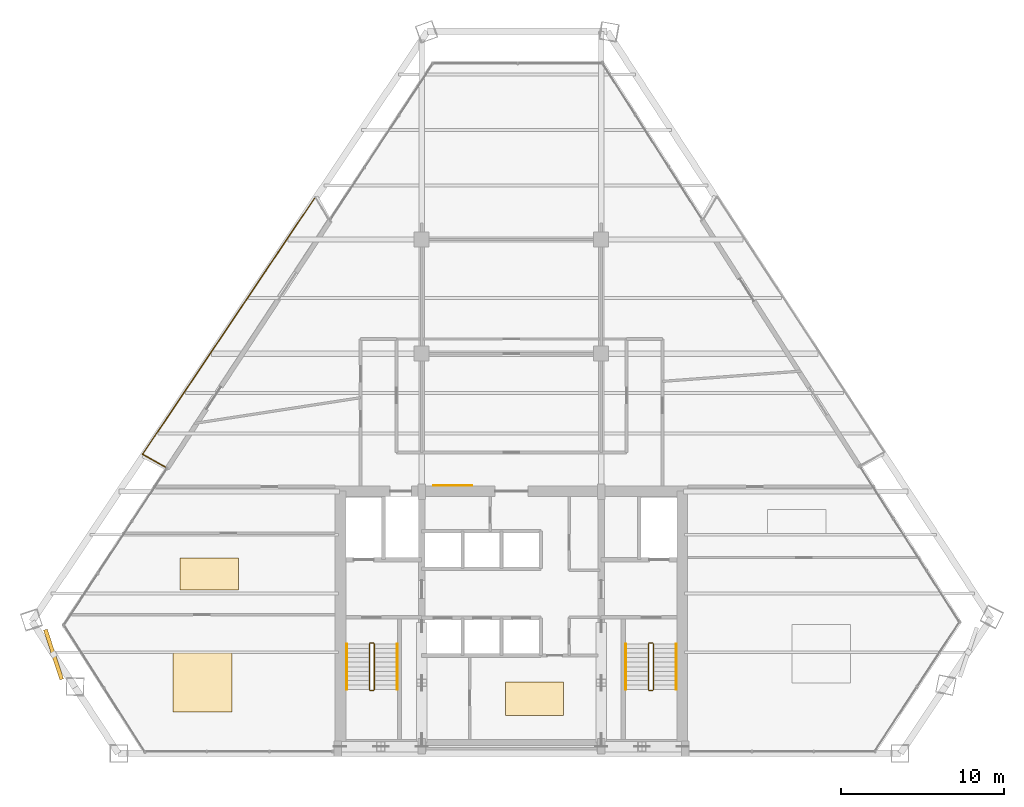
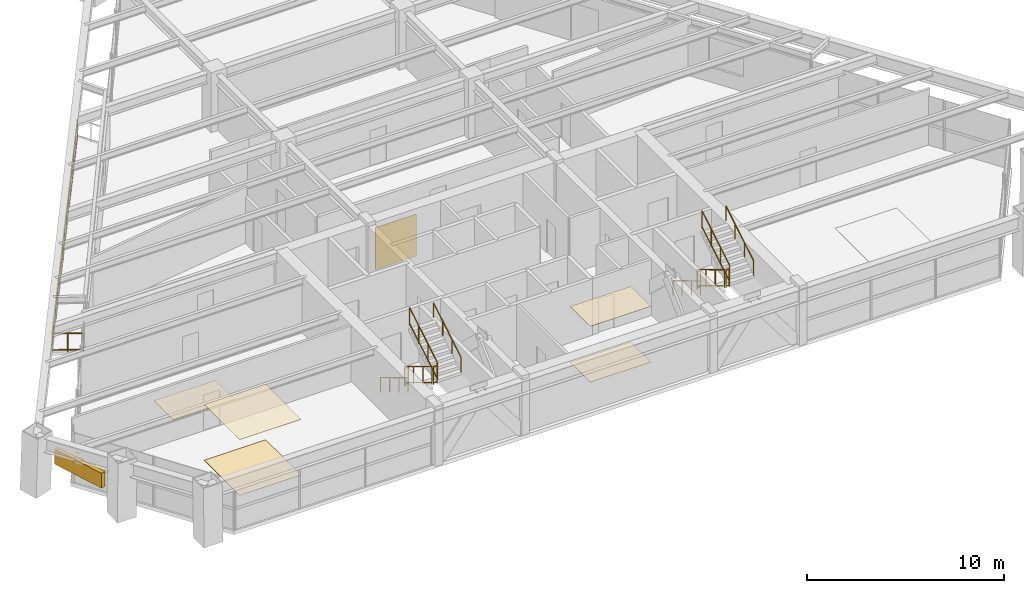
# One storey, part 13 of 14: 14 railings, 6 coverings, 1 shading device.
"""IFC4 building model written with IfcOpenShell, lengths in metres."""

from ifc_helpers import new_model, si_unit, direction, frame, origin, origin_2d, place, context, subcontext, project, spatial, rectangle, extrude, source, transform, mapped, material, layer, layer_set, type_object, type_shapes, element, save


model = new_model("IFC4")

# Units and contexts
model_context = context("Model", 3, precision=1e-05, world=origin(), true_north=direction((0.0, 1.0)))
body_context = subcontext(model_context, "Body", "Model", "MODEL_VIEW")
ifc_project = project(units=[si_unit("LENGTHUNIT", "METRE"), si_unit("AREAUNIT", "SQUARE_METRE"), si_unit("VOLUMEUNIT", "CUBIC_METRE"), si_unit("PLANEANGLEUNIT", "RADIAN"), si_unit("MASSUNIT", "GRAM", prefix="KILO")], contexts=[model_context])

# Site, building, storey
site_placement = place(None, origin())
site = spatial("IfcSite", under=ifc_project, at=site_placement, CompositionType="ELEMENT")
building_placement = place(site_placement, origin())
building = spatial("IfcBuilding", under=site, at=building_placement, Name="Varnakhor Terracotta Tower", CompositionType="ELEMENT")
storey_placement = place(building_placement, frame((0.0, 0.0, 129.300048828125)))
storey = spatial("IfcBuildingStorey", under=building, at=storey_placement, Name="L32", CompositionType="ELEMENT", Elevation=129.300048828125)

# Railings
ifc_material_1 = material(Name="Stainless Steel & Laminated Glass Guardrail", Category="steel")
railing_type_1 = type_object("IfcRailingType", Name="RLG-LOGGIA-GUARD-1150", PredefinedType="GUARDRAIL", material=ifc_material_1)
railing_1_placement = place(storey_placement, frame((-21.20849609375, 17.541259765625, 0.0)))
element("IfcRailing", 1, at=railing_1_placement, inside=storey, type_object=railing_type_1, Name="L32 W Loggia Glass Guard 1", PredefinedType="GUARDRAIL", context=body_context, shape_type="SweptSolid", body=[
    extrude(rectangle(XDim=0.048095703125, YDim=0.048095703125, at=origin_2d()), frame((0.0, 0.0, 1.1259765625), z_axis=(-0.869789822921, 0.493422399109, 0.0), x_axis=(-0.493422399109, -0.869789822921, 0.0)), (0.0, 0.0, 1.0), 1.608154296875),
    extrude(rectangle(XDim=0.048095703125, YDim=0.048095703125, at=origin_2d()), frame((0.0, 0.0, 0.10009765625), z_axis=(-0.869789822921, 0.493422399109, 0.0), x_axis=(-0.493422399109, -0.869789822921, 0.0)), (0.0, 0.0, 1.0), 1.608154296875),
    extrude(rectangle(XDim=0.0419921875, YDim=0.0419921875, at=origin_2d()), origin(), (0.0, 0.0, 1.0), 1.101806640625),
    extrude(rectangle(XDim=0.0419921875, YDim=0.0419921875, at=origin_2d()), frame((-0.69921875, 0.396728515625, 0.0)), (0.0, 0.0, 1.0), 1.101806640625),
    extrude(rectangle(XDim=0.0419921875, YDim=0.0419921875, at=origin_2d()), frame((-1.398681640625, 0.79345703125, 0.0)), (0.0, 0.0, 1.0), 1.101806640625),
])
railing_2_placement = place(storey_placement, frame((-22.607177734375, 18.334716796875, 0.0)))
element("IfcRailing", 2, at=railing_2_placement, inside=storey, type_object=railing_type_1, Name="L32 W Loggia Glass Guard 2", PredefinedType="GUARDRAIL", context=body_context, shape_type="SweptSolid", body=[
    extrude(rectangle(XDim=0.048095703125, YDim=0.048095703125, at=origin_2d()), frame((0.0, 0.0, 1.1259765625), z_axis=(0.557802039313, 0.829974026665, 0.0), x_axis=(-0.829974026665, 0.557802039313, 0.0)), (0.0, 0.0, 1.0), 18.975341796875),
    extrude(rectangle(XDim=0.048095703125, YDim=0.048095703125, at=origin_2d()), frame((0.0, 0.0, 0.10009765625), z_axis=(0.557802039313, 0.829974026665, 0.0), x_axis=(-0.829974026665, 0.557802039313, 0.0)), (0.0, 0.0, 1.0), 18.975341796875),
    extrude(rectangle(XDim=0.0419921875, YDim=0.0419921875, at=origin_2d()), origin(), (0.0, 0.0, 1.0), 1.101806640625),
    extrude(rectangle(XDim=0.0419921875, YDim=0.0419921875, at=origin_2d()), frame((0.756103515625, 1.125, 0.0)), (0.0, 0.0, 1.0), 1.101806640625),
    extrude(rectangle(XDim=0.0419921875, YDim=0.0419921875, at=origin_2d()), frame((1.511962890625, 2.249755859375, 0.0)), (0.0, 0.0, 1.0), 1.101806640625),
    extrude(rectangle(XDim=0.0419921875, YDim=0.0419921875, at=origin_2d()), frame((2.26806640625, 3.374755859375, 0.0)), (0.0, 0.0, 1.0), 1.101806640625),
    extrude(rectangle(XDim=0.0419921875, YDim=0.0419921875, at=origin_2d()), frame((3.024169921875, 4.499755859375, 0.0)), (0.0, 0.0, 1.0), 1.101806640625),
    extrude(rectangle(XDim=0.0419921875, YDim=0.0419921875, at=origin_2d()), frame((3.7802734375, 5.624755859375, 0.0)), (0.0, 0.0, 1.0), 1.101806640625),
    extrude(rectangle(XDim=0.0419921875, YDim=0.0419921875, at=origin_2d()), frame((4.5361328125, 6.74951171875, 0.0)), (0.0, 0.0, 1.0), 1.101806640625),
    extrude(rectangle(XDim=0.0419921875, YDim=0.0419921875, at=origin_2d()), frame((5.292236328125, 7.87451171875, 0.0)), (0.0, 0.0, 1.0), 1.101806640625),
    extrude(rectangle(XDim=0.0419921875, YDim=0.0419921875, at=origin_2d()), frame((6.04833984375, 8.99951171875, 0.0)), (0.0, 0.0, 1.0), 1.101806640625),
    extrude(rectangle(XDim=0.0419921875, YDim=0.0419921875, at=origin_2d()), frame((6.80419921875, 10.124267578125, 0.0)), (0.0, 0.0, 1.0), 1.101806640625),
    extrude(rectangle(XDim=0.0419921875, YDim=0.0419921875, at=origin_2d()), frame((7.560302734375, 11.249267578125, 0.0)), (0.0, 0.0, 1.0), 1.101806640625),
    extrude(rectangle(XDim=0.0419921875, YDim=0.0419921875, at=origin_2d()), frame((8.31640625, 12.374267578125, 0.0)), (0.0, 0.0, 1.0), 1.101806640625),
    extrude(rectangle(XDim=0.0419921875, YDim=0.0419921875, at=origin_2d()), frame((9.072509765625, 13.499267578125, 0.0)), (0.0, 0.0, 1.0), 1.101806640625),
    extrude(rectangle(XDim=0.0419921875, YDim=0.0419921875, at=origin_2d()), frame((9.828369140625, 14.6240234375, 0.0)), (0.0, 0.0, 1.0), 1.101806640625),
    extrude(rectangle(XDim=0.0419921875, YDim=0.0419921875, at=origin_2d()), frame((10.58447265625, 15.7490234375, 0.0)), (0.0, 0.0, 1.0), 1.101806640625),
])
ifc_material_2 = material(Name="Painted Steel Stairwell Guardrail", Category="steel")
railing_type_2 = type_object("IfcRailingType", Name="RLG-STAIR-GUARD-1120", PredefinedType="GUARDRAIL", material=ifc_material_2)
railing_3_placement = place(storey_placement, frame((-8.699951171875, 6.7099609375, 0.168212890625)))
element("IfcRailing", 3, at=railing_3_placement, inside=storey, type_object=railing_type_2, Name="L32 ST-1 stair guard 1", PredefinedType="GUARDRAIL", context=body_context, shape_type="SweptSolid", body=[
    extrude(rectangle(XDim=0.048095703125, YDim=0.048095703125, at=origin_2d()), frame((0.0, 0.0, 1.09619140625), z_axis=(0.0, -0.857275202839, 0.514858452973), x_axis=(1.0, 0.0, 0.0)), (0.0, 0.0, 1.0), 3.26611328125),
    extrude(rectangle(XDim=0.048095703125, YDim=0.048095703125, at=origin_2d()), frame((0.0, 0.0, 0.10009765625), z_axis=(0.0, -0.857275202839, 0.514858452973), x_axis=(1.0, 0.0, 0.0)), (0.0, 0.0, 1.0), 3.26611328125),
    extrude(rectangle(XDim=0.0419921875, YDim=0.0419921875, at=origin_2d()), origin(), (0.0, 0.0, 1.0), 1.072021484375),
    extrude(rectangle(XDim=0.0419921875, YDim=0.0419921875, at=origin_2d()), frame((0.0, -0.933349609375, 0.560546875)), (0.0, 0.0, 1.0), 1.072021484375),
    extrude(rectangle(XDim=0.0419921875, YDim=0.0419921875, at=origin_2d()), frame((0.0, -1.86669921875, 1.12109375)), (0.0, 0.0, 1.0), 1.072021484375),
    extrude(rectangle(XDim=0.0419921875, YDim=0.0419921875, at=origin_2d()), frame((0.0, -2.800048828125, 1.681640625)), (0.0, 0.0, 1.0), 1.072021484375),
])
railing_4_placement = place(storey_placement, frame((-8.64990234375, 3.860107421875, 1.849853515625)))
element("IfcRailing", 4, at=railing_4_placement, inside=storey, type_object=railing_type_2, Name="L32 ST-1 stair guard 2", PredefinedType="GUARDRAIL", context=body_context, shape_type="SweptSolid", body=[
    extrude(rectangle(XDim=0.048095703125, YDim=0.048095703125, at=origin_2d()), frame((0.0, 0.0, 1.09619140625), z_axis=(1.0, 0.0, 0.0), x_axis=(0.0, 1.0, 0.0)), (0.0, 0.0, 1.0), 0.199951171875),
    extrude(rectangle(XDim=0.048095703125, YDim=0.048095703125, at=origin_2d()), frame((0.0, 0.0, 0.10009765625), z_axis=(1.0, 0.0, 0.0), x_axis=(0.0, 1.0, 0.0)), (0.0, 0.0, 1.0), 0.199951171875),
    extrude(rectangle(XDim=0.0419921875, YDim=0.0419921875, at=origin_2d()), origin(), (0.0, 0.0, 1.0), 1.072021484375),
    extrude(rectangle(XDim=0.0419921875, YDim=0.0419921875, at=origin_2d()), frame((0.199951171875, 0.0, 0.0)), (0.0, 0.0, 1.0), 1.072021484375),
])
railing_5_placement = place(storey_placement, frame((-8.39990234375, 3.909912109375, 2.01806640625)))
element("IfcRailing", 5, at=railing_5_placement, inside=storey, type_object=railing_type_2, Name="L32 ST-1 stair guard 3", PredefinedType="GUARDRAIL", context=body_context, shape_type="SweptSolid", body=[
    extrude(rectangle(XDim=0.048095703125, YDim=0.048095703125, at=origin_2d()), frame((0.0, 0.0, 1.09619140625), z_axis=(0.0, 0.857242210791, 0.514913383045), x_axis=(-1.0, 0.0, 0.0)), (0.0, 0.0, 1.0), 3.266357421875),
    extrude(rectangle(XDim=0.048095703125, YDim=0.048095703125, at=origin_2d()), frame((0.0, 0.0, 0.10009765625), z_axis=(0.0, 0.857242210791, 0.514913383045), x_axis=(-1.0, 0.0, 0.0)), (0.0, 0.0, 1.0), 3.266357421875),
    extrude(rectangle(XDim=0.0419921875, YDim=0.0419921875, at=origin_2d()), origin(), (0.0, 0.0, 1.0), 1.072021484375),
    extrude(rectangle(XDim=0.0419921875, YDim=0.0419921875, at=origin_2d()), frame((0.0, 0.933349609375, 0.560546875)), (0.0, 0.0, 1.0), 1.072021484375),
    extrude(rectangle(XDim=0.0419921875, YDim=0.0419921875, at=origin_2d()), frame((0.0, 1.86669921875, 1.121337890625)), (0.0, 0.0, 1.0), 1.072021484375),
    extrude(rectangle(XDim=0.0419921875, YDim=0.0419921875, at=origin_2d()), frame((0.0, 2.800048828125, 1.681884765625)), (0.0, 0.0, 1.0), 1.072021484375),
])
railing_6_placement = place(storey_placement, frame((-8.64990234375, 6.760009765625, 0.0)))
element("IfcRailing", 6, at=railing_6_placement, inside=storey, type_object=railing_type_2, Name="L32 ST-1 stair guard 4", PredefinedType="GUARDRAIL", context=body_context, shape_type="SweptSolid", body=[
    extrude(rectangle(XDim=0.048095703125, YDim=0.048095703125, at=origin_2d()), frame((0.0, 0.0, 1.09619140625), z_axis=(1.0, 0.0, 0.0), x_axis=(0.0, 1.0, 0.0)), (0.0, 0.0, 1.0), 0.199951171875),
    extrude(rectangle(XDim=0.048095703125, YDim=0.048095703125, at=origin_2d()), frame((0.0, 0.0, 0.10009765625), z_axis=(1.0, 0.0, 0.0), x_axis=(0.0, 1.0, 0.0)), (0.0, 0.0, 1.0), 0.199951171875),
    extrude(rectangle(XDim=0.0419921875, YDim=0.0419921875, at=origin_2d()), origin(), (0.0, 0.0, 1.0), 1.072021484375),
    extrude(rectangle(XDim=0.0419921875, YDim=0.0419921875, at=origin_2d()), frame((0.199951171875, 0.0, 0.0)), (0.0, 0.0, 1.0), 1.072021484375),
])
railing_7_placement = place(storey_placement, frame((8.39990234375, 6.7099609375, 0.168212890625)))
element("IfcRailing", 7, at=railing_7_placement, inside=storey, type_object=railing_type_2, Name="L32 ST-2 stair guard 1", PredefinedType="GUARDRAIL", context=body_context, shape_type="SweptSolid", body=[
    extrude(rectangle(XDim=0.048095703125, YDim=0.048095703125, at=origin_2d()), frame((0.0, 0.0, 1.09619140625), z_axis=(0.0, -0.857275202839, 0.514858452973), x_axis=(1.0, 0.0, 0.0)), (0.0, 0.0, 1.0), 3.26611328125),
    extrude(rectangle(XDim=0.048095703125, YDim=0.048095703125, at=origin_2d()), frame((0.0, 0.0, 0.10009765625), z_axis=(0.0, -0.857275202839, 0.514858452973), x_axis=(1.0, 0.0, 0.0)), (0.0, 0.0, 1.0), 3.26611328125),
    extrude(rectangle(XDim=0.0419921875, YDim=0.0419921875, at=origin_2d()), origin(), (0.0, 0.0, 1.0), 1.072021484375),
    extrude(rectangle(XDim=0.0419921875, YDim=0.0419921875, at=origin_2d()), frame((0.0, -0.933349609375, 0.560546875)), (0.0, 0.0, 1.0), 1.072021484375),
    extrude(rectangle(XDim=0.0419921875, YDim=0.0419921875, at=origin_2d()), frame((0.0, -1.86669921875, 1.12109375)), (0.0, 0.0, 1.0), 1.072021484375),
    extrude(rectangle(XDim=0.0419921875, YDim=0.0419921875, at=origin_2d()), frame((0.0, -2.800048828125, 1.681640625)), (0.0, 0.0, 1.0), 1.072021484375),
])
railing_8_placement = place(storey_placement, frame((8.449951171875, 3.860107421875, 1.849853515625)))
element("IfcRailing", 8, at=railing_8_placement, inside=storey, type_object=railing_type_2, Name="L32 ST-2 stair guard 2", PredefinedType="GUARDRAIL", context=body_context, shape_type="SweptSolid", body=[
    extrude(rectangle(XDim=0.048095703125, YDim=0.048095703125, at=origin_2d()), frame((0.0, 0.0, 1.09619140625), z_axis=(1.0, 0.0, 0.0), x_axis=(0.0, 1.0, 0.0)), (0.0, 0.0, 1.0), 0.199951171875),
    extrude(rectangle(XDim=0.048095703125, YDim=0.048095703125, at=origin_2d()), frame((0.0, 0.0, 0.10009765625), z_axis=(1.0, 0.0, 0.0), x_axis=(0.0, 1.0, 0.0)), (0.0, 0.0, 1.0), 0.199951171875),
    extrude(rectangle(XDim=0.0419921875, YDim=0.0419921875, at=origin_2d()), origin(), (0.0, 0.0, 1.0), 1.072021484375),
    extrude(rectangle(XDim=0.0419921875, YDim=0.0419921875, at=origin_2d()), frame((0.199951171875, 0.0, 0.0)), (0.0, 0.0, 1.0), 1.072021484375),
])
railing_9_placement = place(storey_placement, frame((8.699951171875, 3.909912109375, 2.01806640625)))
element("IfcRailing", 9, at=railing_9_placement, inside=storey, type_object=railing_type_2, Name="L32 ST-2 stair guard 3", PredefinedType="GUARDRAIL", context=body_context, shape_type="SweptSolid", body=[
    extrude(rectangle(XDim=0.048095703125, YDim=0.048095703125, at=origin_2d()), frame((0.0, 0.0, 1.09619140625), z_axis=(0.0, 0.857242210791, 0.514913383045), x_axis=(-1.0, 0.0, 0.0)), (0.0, 0.0, 1.0), 3.266357421875),
    extrude(rectangle(XDim=0.048095703125, YDim=0.048095703125, at=origin_2d()), frame((0.0, 0.0, 0.10009765625), z_axis=(0.0, 0.857242210791, 0.514913383045), x_axis=(-1.0, 0.0, 0.0)), (0.0, 0.0, 1.0), 3.266357421875),
    extrude(rectangle(XDim=0.0419921875, YDim=0.0419921875, at=origin_2d()), origin(), (0.0, 0.0, 1.0), 1.072021484375),
    extrude(rectangle(XDim=0.0419921875, YDim=0.0419921875, at=origin_2d()), frame((0.0, 0.933349609375, 0.560546875)), (0.0, 0.0, 1.0), 1.072021484375),
    extrude(rectangle(XDim=0.0419921875, YDim=0.0419921875, at=origin_2d()), frame((0.0, 1.86669921875, 1.121337890625)), (0.0, 0.0, 1.0), 1.072021484375),
    extrude(rectangle(XDim=0.0419921875, YDim=0.0419921875, at=origin_2d()), frame((0.0, 2.800048828125, 1.681884765625)), (0.0, 0.0, 1.0), 1.072021484375),
])
railing_10_placement = place(storey_placement, frame((8.449951171875, 6.760009765625, 0.0)))
element("IfcRailing", 10, at=railing_10_placement, inside=storey, type_object=railing_type_2, Name="L32 ST-2 stair guard 4", PredefinedType="GUARDRAIL", context=body_context, shape_type="SweptSolid", body=[
    extrude(rectangle(XDim=0.048095703125, YDim=0.048095703125, at=origin_2d()), frame((0.0, 0.0, 1.09619140625), z_axis=(1.0, 0.0, 0.0), x_axis=(0.0, 1.0, 0.0)), (0.0, 0.0, 1.0), 0.199951171875),
    extrude(rectangle(XDim=0.048095703125, YDim=0.048095703125, at=origin_2d()), frame((0.0, 0.0, 0.10009765625), z_axis=(1.0, 0.0, 0.0), x_axis=(0.0, 1.0, 0.0)), (0.0, 0.0, 1.0), 0.199951171875),
    extrude(rectangle(XDim=0.0419921875, YDim=0.0419921875, at=origin_2d()), origin(), (0.0, 0.0, 1.0), 1.072021484375),
    extrude(rectangle(XDim=0.0419921875, YDim=0.0419921875, at=origin_2d()), frame((0.199951171875, 0.0, 0.0)), (0.0, 0.0, 1.0), 1.072021484375),
])
ifc_material_3 = material(Name="Brushed Stainless Steel Handrail", Category="steel")
railing_type_3 = type_object("IfcRailingType", Name="RLG-STAIR-HANDRAIL-920", PredefinedType="HANDRAIL", material=ifc_material_3)
railing_11_placement = place(storey_placement, frame((-10.10009765625, 6.7099609375, 0.168212890625)))
element("IfcRailing", 11, at=railing_11_placement, inside=storey, type_object=railing_type_3, Name="L32 ST-1 stair handrail 1", PredefinedType="HANDRAIL", context=body_context, shape_type="SweptSolid", body=[
    extrude(rectangle(XDim=0.048095703125, YDim=0.048095703125, at=origin_2d()), frame((0.0, 0.0, 0.89599609375), z_axis=(0.0, -0.857275202839, 0.514858452973), x_axis=(1.0, 0.0, 0.0)), (0.0, 0.0, 1.0), 3.26611328125),
    extrude(rectangle(XDim=0.0419921875, YDim=0.0419921875, at=origin_2d()), origin(), (0.0, 0.0, 1.0), 0.871826171875),
    extrude(rectangle(XDim=0.0419921875, YDim=0.0419921875, at=origin_2d()), frame((0.0, -0.933349609375, 0.560546875)), (0.0, 0.0, 1.0), 0.871826171875),
    extrude(rectangle(XDim=0.0419921875, YDim=0.0419921875, at=origin_2d()), frame((0.0, -1.86669921875, 1.12109375)), (0.0, 0.0, 1.0), 0.871826171875),
    extrude(rectangle(XDim=0.0419921875, YDim=0.0419921875, at=origin_2d()), frame((0.0, -2.800048828125, 1.681640625)), (0.0, 0.0, 1.0), 0.871826171875),
])
railing_12_placement = place(storey_placement, frame((-7.0, 3.909912109375, 2.01806640625)))
element("IfcRailing", 12, at=railing_12_placement, inside=storey, type_object=railing_type_3, Name="L32 ST-1 stair handrail 2", PredefinedType="HANDRAIL", context=body_context, shape_type="SweptSolid", body=[
    extrude(rectangle(XDim=0.048095703125, YDim=0.048095703125, at=origin_2d()), frame((0.0, 0.0, 0.89599609375), z_axis=(0.0, 0.857242210791, 0.514913383045), x_axis=(-1.0, 0.0, 0.0)), (0.0, 0.0, 1.0), 3.266357421875),
    extrude(rectangle(XDim=0.0419921875, YDim=0.0419921875, at=origin_2d()), origin(), (0.0, 0.0, 1.0), 0.871826171875),
    extrude(rectangle(XDim=0.0419921875, YDim=0.0419921875, at=origin_2d()), frame((0.0, 0.933349609375, 0.560546875)), (0.0, 0.0, 1.0), 0.871826171875),
    extrude(rectangle(XDim=0.0419921875, YDim=0.0419921875, at=origin_2d()), frame((0.0, 1.86669921875, 1.121337890625)), (0.0, 0.0, 1.0), 0.871826171875),
    extrude(rectangle(XDim=0.0419921875, YDim=0.0419921875, at=origin_2d()), frame((0.0, 2.800048828125, 1.681884765625)), (0.0, 0.0, 1.0), 0.871826171875),
])
railing_13_placement = place(storey_placement, frame((7.0, 6.7099609375, 0.168212890625)))
element("IfcRailing", 13, at=railing_13_placement, inside=storey, type_object=railing_type_3, Name="L32 ST-2 stair handrail 1", PredefinedType="HANDRAIL", context=body_context, shape_type="SweptSolid", body=[
    extrude(rectangle(XDim=0.048095703125, YDim=0.048095703125, at=origin_2d()), frame((0.0, 0.0, 0.89599609375), z_axis=(0.0, -0.857275202839, 0.514858452973), x_axis=(1.0, 0.0, 0.0)), (0.0, 0.0, 1.0), 3.26611328125),
    extrude(rectangle(XDim=0.0419921875, YDim=0.0419921875, at=origin_2d()), origin(), (0.0, 0.0, 1.0), 0.871826171875),
    extrude(rectangle(XDim=0.0419921875, YDim=0.0419921875, at=origin_2d()), frame((0.0, -0.933349609375, 0.560546875)), (0.0, 0.0, 1.0), 0.871826171875),
    extrude(rectangle(XDim=0.0419921875, YDim=0.0419921875, at=origin_2d()), frame((0.0, -1.86669921875, 1.12109375)), (0.0, 0.0, 1.0), 0.871826171875),
    extrude(rectangle(XDim=0.0419921875, YDim=0.0419921875, at=origin_2d()), frame((0.0, -2.800048828125, 1.681640625)), (0.0, 0.0, 1.0), 0.871826171875),
])
railing_14_placement = place(storey_placement, frame((10.10009765625, 3.909912109375, 2.01806640625)))
element("IfcRailing", 14, at=railing_14_placement, inside=storey, type_object=railing_type_3, Name="L32 ST-2 stair handrail 2", PredefinedType="HANDRAIL", context=body_context, shape_type="SweptSolid", body=[
    extrude(rectangle(XDim=0.048095703125, YDim=0.048095703125, at=origin_2d()), frame((0.0, 0.0, 0.89599609375), z_axis=(0.0, 0.857242210791, 0.514913383045), x_axis=(-1.0, 0.0, 0.0)), (0.0, 0.0, 1.0), 3.266357421875),
    extrude(rectangle(XDim=0.0419921875, YDim=0.0419921875, at=origin_2d()), origin(), (0.0, 0.0, 1.0), 0.871826171875),
    extrude(rectangle(XDim=0.0419921875, YDim=0.0419921875, at=origin_2d()), frame((0.0, 0.933349609375, 0.560546875)), (0.0, 0.0, 1.0), 0.871826171875),
    extrude(rectangle(XDim=0.0419921875, YDim=0.0419921875, at=origin_2d()), frame((0.0, 1.86669921875, 1.121337890625)), (0.0, 0.0, 1.0), 0.871826171875),
    extrude(rectangle(XDim=0.0419921875, YDim=0.0419921875, at=origin_2d()), frame((0.0, 2.800048828125, 1.681884765625)), (0.0, 0.0, 1.0), 0.871826171875),
])

# Shading device
ifc_material_4 = material(Name="Extruded Architectural Terracotta Screen", Category="masonry")
shading_device_type = type_object("IfcShadingDeviceType", Name="TERRACOTTA SOLAR SCREEN W", PredefinedType="USERDEFINED", material=ifc_material_4)
shared_shape_1 = source(origin(), body_context, "Body", "SweptSolid", [
    extrude(rectangle(XDim=3.199951171875, YDim=0.239990234375, at=origin_2d()), origin(), (0.0, 0.0, 1.0), 0.919921875),
])
type_shapes(shading_device_type, [shared_shape_1])
shading_device_placement = place(storey_placement, frame((-28.061767578125, 6.0615234375, 1.7099609375), z_axis=(0.0, 0.0, 1.0), x_axis=(0.312036460582, -0.950070127552, 0.0)))
element("IfcShadingDevice", 15, at=shading_device_placement, inside=storey, type_object=shading_device_type, Name="L32 W Terracotta Solar Screen", ObjectType="SCREEN", PredefinedType="USERDEFINED", context=body_context, shape_type="MappedRepresentation", body=[
    mapped(shared_shape_1, transform((0.0, 0.0, 0.0), scale=1.0)),
])

# Coverings
ifc_material_5 = material(Name="Extruded Architectural Terracotta Cladding", Category="masonry")
ifc_layer_1 = layer(ifc_material_5, 0.044921875, Name="Extruded Architectural Terracotta Cladding")
ifc_layer_set_1 = layer_set([ifc_layer_1], Name="Extruded Architectural Terracotta Cladding")
covering_type_1 = type_object("IfcCoveringType", Name="COV-CLAD-TERRACOTTA", PredefinedType="CLADDING", material=ifc_layer_set_1)
shared_shape_2 = source(origin(), body_context, "Body", "SweptSolid", [
    extrude(rectangle(XDim=2.39990234375, YDim=0.030029296875, at=origin_2d()), origin(), (0.0, 0.0, 1.0), 2.60009765625),
])
type_shapes(covering_type_1, [shared_shape_2])
covering_1_placement = place(storey_placement, frame((-3.60009765625, 16.412109375, 0.0), z_axis=(0.0, 0.0, 1.0), x_axis=(1.0, 0.0, 0.0)))
element("IfcCovering", 16, at=covering_1_placement, inside=storey, type_object=covering_type_1, Name="L32 Core Lobby Limestone Cladding", PredefinedType="CLADDING", context=body_context, shape_type="MappedRepresentation", body=[
    mapped(shared_shape_2, transform((0.0, 0.0, 0.0), scale=1.0)),
])
ifc_material_6 = material(Name="Honed Riyadh Limestone Flooring", Category="masonry")
ifc_layer_2 = layer(ifc_material_6, 0.030029296875, Name="Honed Riyadh Limestone Flooring")
ifc_layer_set_2 = layer_set([ifc_layer_2], Name="Honed Riyadh Limestone Flooring")
covering_type_2 = type_object("IfcCoveringType", Name="COV-FLOOR-LIMESTONE", PredefinedType="FLOORING", material=ifc_layer_set_2)
shared_shape_3 = source(origin(), body_context, "Body", "SweptSolid", [
    extrude(rectangle(XDim=3.60009765625, YDim=3.60009765625, at=origin_2d()), origin(), (0.0, 0.0, 1.0), 0.02001953125),
])
covering_2_placement = place(storey_placement, frame((-18.93603515625, 4.35205078125, 0.0), z_axis=(0.0, 0.0, 1.0), x_axis=(1.0, 0.0, 0.0)))
element("IfcCovering", 17, at=covering_2_placement, inside=storey, type_object=covering_type_2, Name="L32 Honed Stone Flooring 2", PredefinedType="FLOORING", context=body_context, shape_type="MappedRepresentation", body=[
    mapped(shared_shape_3, transform((0.0, 0.0, 0.0), scale=1.0)),
])
ifc_material_7 = material(Name="Perforated Acoustic Mineral-Fibre Ceiling", Category="gypsum")
ifc_layer_3 = layer(ifc_material_7, 0.02490234375, Name="Perforated Acoustic Mineral-Fibre Ceiling")
ifc_layer_set_3 = layer_set([ifc_layer_3], Name="Perforated Acoustic Mineral-Fibre Ceiling")
covering_type_3 = type_object("IfcCoveringType", Name="COV-CEILING-ACOUSTIC", PredefinedType="CEILING", material=ifc_layer_set_3)
shared_shape_4 = source(origin(), body_context, "Body", "SweptSolid", [
    extrude(rectangle(XDim=3.60009765625, YDim=3.60009765625, at=origin_2d()), origin(), (0.0, 0.0, 1.0), 0.02392578125),
])
covering_3_placement = place(storey_placement, frame((-18.93603515625, 4.35205078125, 3.446044921875), z_axis=(0.0, 0.0, 1.0), x_axis=(1.0, 0.0, 0.0)))
element("IfcCovering", 18, at=covering_3_placement, inside=storey, type_object=covering_type_3, Name="L32 Acoustic Ceiling Panel 2", PredefinedType="CEILING", context=body_context, shape_type="MappedRepresentation", body=[
    mapped(shared_shape_4, transform((0.0, 0.0, 0.0), scale=1.0)),
])
shared_shape_5 = source(origin(), body_context, "Body", "SweptSolid", [
    extrude(rectangle(XDim=3.60009765625, YDim=1.950927734375, at=origin_2d()), origin(), (0.0, 0.0, 1.0), 0.02001953125),
])
covering_4_placement = place(storey_placement, frame((-18.514892578125, 11.0, 0.0), z_axis=(0.0, 0.0, 1.0), x_axis=(1.0, 0.0, 0.0)))
element("IfcCovering", 19, at=covering_4_placement, inside=storey, type_object=covering_type_2, Name="L32 Honed Stone Flooring 4", PredefinedType="FLOORING", context=body_context, shape_type="MappedRepresentation", body=[
    mapped(shared_shape_5, transform((0.0, 0.0, 0.0), scale=1.0)),
])
shared_shape_6 = source(origin(), body_context, "Body", "SweptSolid", [
    extrude(rectangle(XDim=3.547119140625, YDim=2.041015625, at=origin_2d()), origin(), (0.0, 0.0, 1.0), 0.02001953125),
])
covering_5_placement = place(storey_placement, frame((1.4150390625, 3.35498046875, 0.0), z_axis=(0.0, 0.0, 1.0), x_axis=(1.0, 0.0, 0.0)))
element("IfcCovering", 20, at=covering_5_placement, inside=storey, type_object=covering_type_2, Name="L32 Honed Stone Flooring 1", PredefinedType="FLOORING", context=body_context, shape_type="MappedRepresentation", body=[
    mapped(shared_shape_6, transform((0.0, 0.0, 0.0), scale=1.0)),
])
shared_shape_7 = source(origin(), body_context, "Body", "SweptSolid", [
    extrude(rectangle(XDim=3.547119140625, YDim=2.041015625, at=origin_2d()), origin(), (0.0, 0.0, 1.0), 0.02392578125),
])
covering_6_placement = place(storey_placement, frame((1.4150390625, 3.35498046875, 3.446044921875), z_axis=(0.0, 0.0, 1.0), x_axis=(1.0, 0.0, 0.0)))
element("IfcCovering", 21, at=covering_6_placement, inside=storey, type_object=covering_type_3, Name="L32 Acoustic Ceiling Panel 1", PredefinedType="CEILING", context=body_context, shape_type="MappedRepresentation", body=[
    mapped(shared_shape_7, transform((0.0, 0.0, 0.0), scale=1.0)),
])

save(model, "model.ifc")
